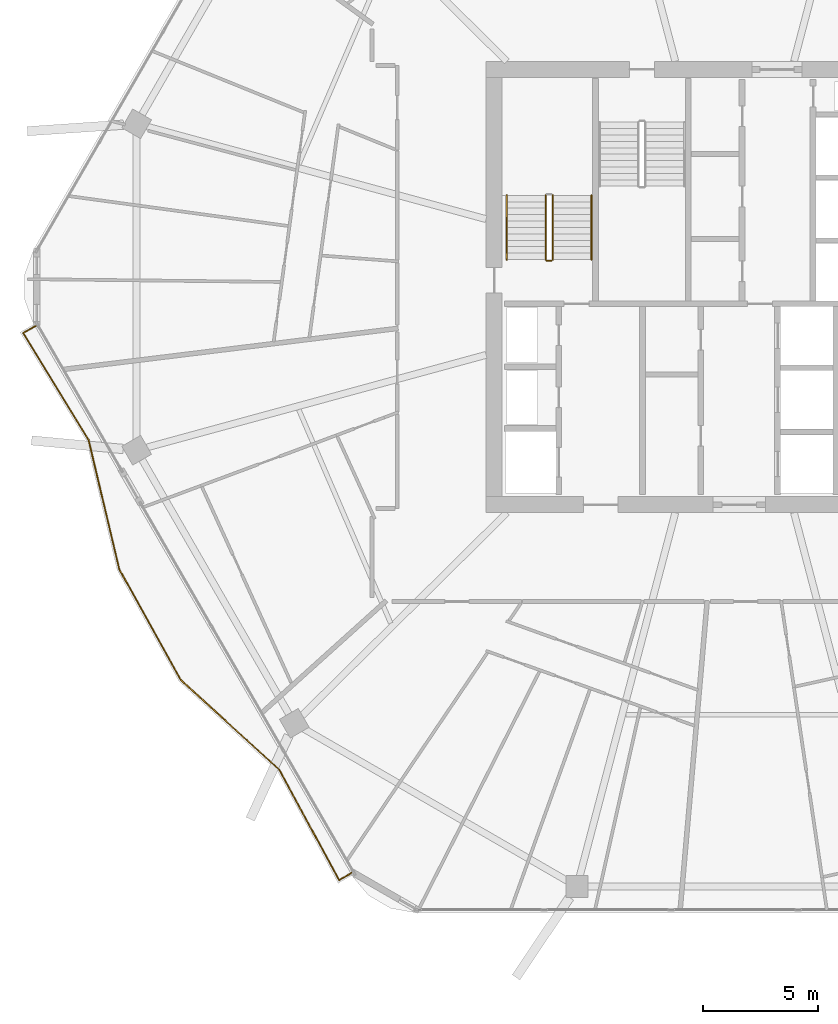
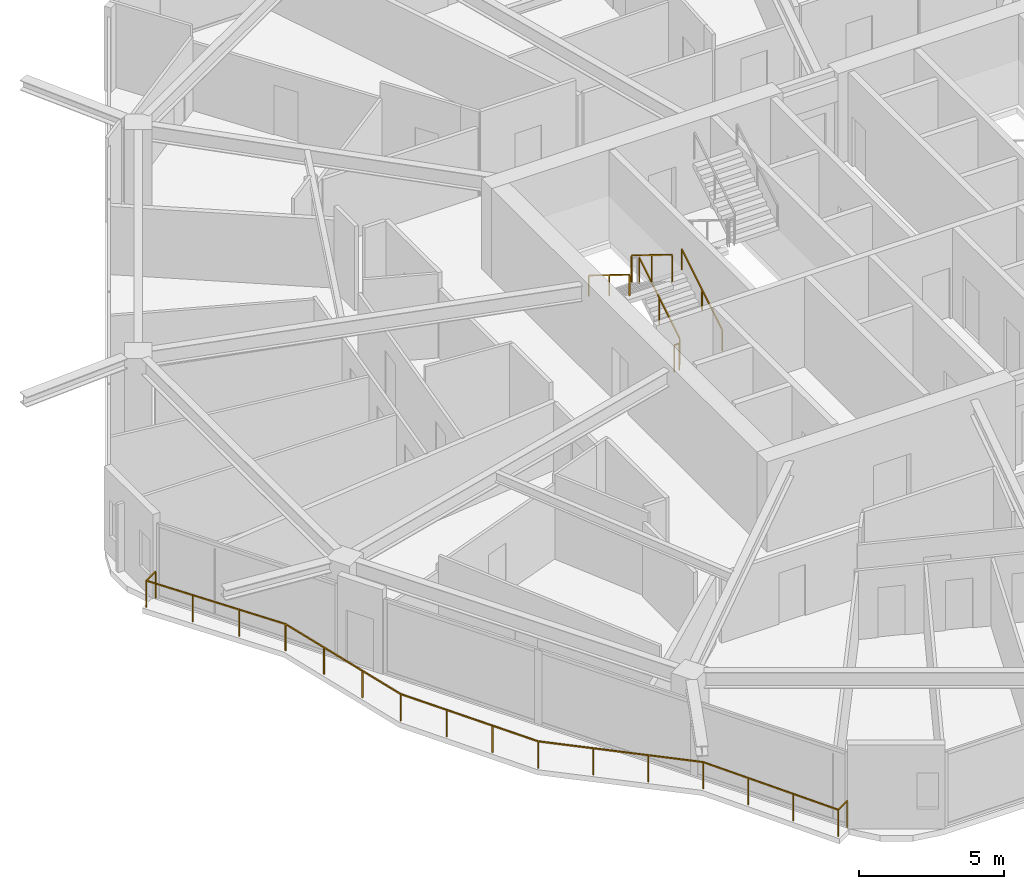
# One storey, part 24 of 26: 6 railings.
"""IFC4 building model written with IfcOpenShell, lengths in metres."""

from ifc_helpers import new_model, si_unit, direction, frame, origin, origin_2d, place, context, subcontext, project, spatial, rectangle, extrude, material, type_object, element, save


model = new_model("IFC4")

# Units and contexts
model_context = context("Model", 3, precision=1e-05, world=origin(), true_north=direction((0.0, 1.0)))
body_context = subcontext(model_context, "Body", "Model", "MODEL_VIEW")
ifc_project = project(units=[si_unit("LENGTHUNIT", "METRE"), si_unit("AREAUNIT", "SQUARE_METRE"), si_unit("VOLUMEUNIT", "CUBIC_METRE"), si_unit("PLANEANGLEUNIT", "RADIAN"), si_unit("MASSUNIT", "GRAM", prefix="KILO")], contexts=[model_context])

# Site, building, storey
site_placement = place(None, origin())
site = spatial("IfcSite", under=ifc_project, at=site_placement, CompositionType="ELEMENT")
building_placement = place(site_placement, origin())
building = spatial("IfcBuilding", under=site, at=building_placement, Name="Zuhravey Tower", CompositionType="ELEMENT")
storey_placement = place(building_placement, frame((0.0, 0.0, 203.60009765625)))
storey = spatial("IfcBuildingStorey", under=building, at=storey_placement, Name="L51", CompositionType="ELEMENT", Elevation=203.60009765625)

# Railings
ifc_material_1 = material(Name="Stainless steel 316 and laminated glass", Category="steel")
railing_type_1 = type_object("IfcRailingType", Name="Balcony & Terrace Guardrail 1150", PredefinedType="BALUSTRADE", material=ifc_material_1)
railing_1_placement = place(storey_placement, frame((19.280029296875, 6.423583984375, 0.0)))
element("IfcRailing", 1, at=railing_1_placement, inside=storey, type_object=railing_type_1, Name="L51 Face 4 Wave Balcony Guardrail GR1", PredefinedType="BALUSTRADE", context=body_context, shape_type="SweptSolid", body=[
    extrude(rectangle(XDim=0.048095703125, YDim=0.048095703125, at=origin_2d()), frame((-0.001708984375, -0.0009765625, 1.1259765625), z_axis=(-0.865898279276, -0.500220121494, 0.0), x_axis=(0.500220121494, -0.865898279276, 0.0)), (0.0, 0.0, 1.0), 0.6328125),
    extrude(rectangle(XDim=0.048095703125, YDim=0.048095703125, at=origin_2d()), frame((-0.552490234375, -0.31689453125, 1.1259765625), z_axis=(-0.475626206806, 0.879647492692, 0.0), x_axis=(-0.879647492692, -0.475626206806, 0.0)), (0.0, 0.0, 1.0), 5.46826171875),
    extrude(rectangle(XDim=0.048095703125, YDim=0.048095703125, at=origin_2d()), frame((-3.15576171875, 4.49658203125, 1.1259765625), z_axis=(-0.73871481332, 0.674018118882, 0.0), x_axis=(-0.674018118882, -0.73871481332, 0.0)), (0.0, 0.0, 1.0), 5.826171875),
    extrude(rectangle(XDim=0.048095703125, YDim=0.048095703125, at=origin_2d()), frame((-7.462158203125, 8.426513671875, 1.1259765625), z_axis=(-0.485856715814, 0.874038472665, 0.0), x_axis=(-0.874038472665, -0.485856715814, 0.0)), (0.0, 0.0, 1.0), 5.5224609375),
    extrude(rectangle(XDim=0.048095703125, YDim=0.048095703125, at=origin_2d()), frame((-10.146728515625, 13.257080078125, 1.1259765625), z_axis=(-0.230962377185, 0.972962681877, 0.0), x_axis=(-0.972962681877, -0.230962377185, 0.0)), (0.0, 0.0, 1.0), 5.797119140625),
    extrude(rectangle(XDim=0.048095703125, YDim=0.048095703125, at=origin_2d()), frame((-11.487060546875, 18.901123046875, 1.1259765625), z_axis=(-0.521989582148, 0.852951860382, 0.0), x_axis=(-0.852951860382, -0.521989582148, 0.0)), (0.0, 0.0, 1.0), 5.46728515625),
    extrude(rectangle(XDim=0.048095703125, YDim=0.048095703125, at=origin_2d()), frame((-14.34033203125, 23.567138671875, 1.1259765625), z_axis=(0.866089912433, 0.499888251095, 0.0), x_axis=(-0.499888251095, 0.866089912433, 0.0)), (0.0, 0.0, 1.0), 0.63330078125),
    extrude(rectangle(XDim=0.0419921875, YDim=0.0419921875, at=origin_2d()), origin(), (0.0, 0.0, 1.0), 1.099853515625),
    extrude(rectangle(XDim=0.0419921875, YDim=0.0419921875, at=origin_2d()), frame((-0.551513671875, -0.318603515625, 0.0)), (0.0, 0.0, 1.0), 1.099853515625),
    extrude(rectangle(XDim=0.0419921875, YDim=0.0419921875, at=origin_2d()), frame((-1.419189453125, 1.285888671875, 0.0)), (0.0, 0.0, 1.0), 1.099853515625),
    extrude(rectangle(XDim=0.0419921875, YDim=0.0419921875, at=origin_2d()), frame((-2.28662109375, 2.890625, 0.0)), (0.0, 0.0, 1.0), 1.099853515625),
    extrude(rectangle(XDim=0.0419921875, YDim=0.0419921875, at=origin_2d()), frame((-3.154296875, 4.4951171875, 0.0)), (0.0, 0.0, 1.0), 1.099853515625),
    extrude(rectangle(XDim=0.0419921875, YDim=0.0419921875, at=origin_2d()), frame((-4.58984375, 5.804931640625, 0.0)), (0.0, 0.0, 1.0), 1.099853515625),
    extrude(rectangle(XDim=0.0419921875, YDim=0.0419921875, at=origin_2d()), frame((-6.025634765625, 7.114990234375, 0.0)), (0.0, 0.0, 1.0), 1.099853515625),
    extrude(rectangle(XDim=0.0419921875, YDim=0.0419921875, at=origin_2d()), frame((-7.461181640625, 8.4248046875, 0.0)), (0.0, 0.0, 1.0), 1.099853515625),
    extrude(rectangle(XDim=0.0419921875, YDim=0.0419921875, at=origin_2d()), frame((-8.356201171875, 10.034912109375, 0.0)), (0.0, 0.0, 1.0), 1.099853515625),
    extrude(rectangle(XDim=0.0419921875, YDim=0.0419921875, at=origin_2d()), frame((-9.251220703125, 11.64501953125, 0.0)), (0.0, 0.0, 1.0), 1.099853515625),
    extrude(rectangle(XDim=0.0419921875, YDim=0.0419921875, at=origin_2d()), frame((-10.146240234375, 13.255126953125, 0.0)), (0.0, 0.0, 1.0), 1.099853515625),
    extrude(rectangle(XDim=0.0419921875, YDim=0.0419921875, at=origin_2d()), frame((-10.5927734375, 15.136474609375, 0.0)), (0.0, 0.0, 1.0), 1.099853515625),
    extrude(rectangle(XDim=0.0419921875, YDim=0.0419921875, at=origin_2d()), frame((-11.03955078125, 17.01806640625, 0.0)), (0.0, 0.0, 1.0), 1.099853515625),
    extrude(rectangle(XDim=0.0419921875, YDim=0.0419921875, at=origin_2d()), frame((-11.486083984375, 18.8994140625, 0.0)), (0.0, 0.0, 1.0), 1.099853515625),
    extrude(rectangle(XDim=0.0419921875, YDim=0.0419921875, at=origin_2d()), frame((-12.43798828125, 20.455078125, 0.0)), (0.0, 0.0, 1.0), 1.099853515625),
    extrude(rectangle(XDim=0.0419921875, YDim=0.0419921875, at=origin_2d()), frame((-13.39013671875, 22.010498046875, 0.0)), (0.0, 0.0, 1.0), 1.099853515625),
    extrude(rectangle(XDim=0.0419921875, YDim=0.0419921875, at=origin_2d()), frame((-14.342041015625, 23.566162109375, 0.0)), (0.0, 0.0, 1.0), 1.099853515625),
    extrude(rectangle(XDim=0.0419921875, YDim=0.0419921875, at=origin_2d()), frame((-13.7900390625, 23.884765625, 0.0)), (0.0, 0.0, 1.0), 1.099853515625),
])
ifc_material_2 = material(Name="Brushed stainless steel", Category="steel")
railing_type_2 = type_object("IfcRailingType", Name="Stair Wall Handrail 900", PredefinedType="HANDRAIL", material=ifc_material_2)
railing_2_placement = place(storey_placement, frame((29.75, 33.199951171875, 0.172607421875)))
element("IfcRailing", 2, at=railing_2_placement, inside=storey, type_object=railing_type_2, Name="L51 ST1 stair handrail 1", PredefinedType="HANDRAIL", context=body_context, shape_type="SweptSolid", body=[
    extrude(rectangle(XDim=0.048095703125, YDim=0.048095703125, at=origin_2d()), frame((0.0, 0.001708984375, 0.876953125), z_axis=(0.0, 0.851089632645, 0.525020415988), x_axis=(-1.0, 0.0, 0.0)), (0.0, 0.0, 1.0), 3.285888671875),
    extrude(rectangle(XDim=0.0419921875, YDim=0.0419921875, at=origin_2d()), origin(), (0.0, 0.0, 1.0), 0.849853515625),
    extrude(rectangle(XDim=0.0419921875, YDim=0.0419921875, at=origin_2d()), frame((0.0, 1.39990234375, 0.86376953125)), (0.0, 0.0, 1.0), 0.849853515625),
    extrude(rectangle(XDim=0.0419921875, YDim=0.0419921875, at=origin_2d()), frame((0.0, 2.800048828125, 1.727294921875)), (0.0, 0.0, 1.0), 0.849853515625),
])
railing_3_placement = place(storey_placement, frame((26.050048828125, 36.0, 2.072509765625)))
element("IfcRailing", 3, at=railing_3_placement, inside=storey, type_object=railing_type_2, Name="L51 ST1 stair handrail 2", PredefinedType="HANDRAIL", context=body_context, shape_type="SweptSolid", body=[
    extrude(rectangle(XDim=0.048095703125, YDim=0.048095703125, at=origin_2d()), frame((0.0, -0.001708984375, 0.876953125), z_axis=(0.0, -0.851089632645, 0.525020415988), x_axis=(1.0, 0.0, 0.0)), (0.0, 0.0, 1.0), 3.285888671875),
    extrude(rectangle(XDim=0.0419921875, YDim=0.0419921875, at=origin_2d()), origin(), (0.0, 0.0, 1.0), 0.849853515625),
    extrude(rectangle(XDim=0.0419921875, YDim=0.0419921875, at=origin_2d()), frame((0.0, -1.39990234375, 0.86376953125)), (0.0, 0.0, 1.0), 0.849853515625),
    extrude(rectangle(XDim=0.0419921875, YDim=0.0419921875, at=origin_2d()), frame((0.0, -2.800048828125, 1.727294921875)), (0.0, 0.0, 1.0), 0.849853515625),
])
ifc_material_3 = material(Name="Painted tubular steel", Category="steel")
railing_type_3 = type_object("IfcRailingType", Name="Stair Well Guardrail 1150", PredefinedType="GUARDRAIL", material=ifc_material_3)
railing_4_placement = place(storey_placement, frame((28.050048828125, 33.199951171875, 0.172607421875)))
element("IfcRailing", 4, at=railing_4_placement, inside=storey, type_object=railing_type_3, Name="L51 ST1 stair guard 1", PredefinedType="GUARDRAIL", context=body_context, shape_type="SweptSolid", body=[
    extrude(rectangle(XDim=0.048095703125, YDim=0.048095703125, at=origin_2d()), frame((0.0, 0.001708984375, 1.126953125), z_axis=(0.0, 0.851089632645, 0.525020415988), x_axis=(-1.0, 0.0, 0.0)), (0.0, 0.0, 1.0), 3.285888671875),
    extrude(rectangle(XDim=0.0419921875, YDim=0.0419921875, at=origin_2d()), origin(), (0.0, 0.0, 1.0), 1.099853515625),
    extrude(rectangle(XDim=0.0419921875, YDim=0.0419921875, at=origin_2d()), frame((0.0, 1.39990234375, 0.86376953125)), (0.0, 0.0, 1.0), 1.099853515625),
    extrude(rectangle(XDim=0.0419921875, YDim=0.0419921875, at=origin_2d()), frame((0.0, 2.800048828125, 1.727294921875)), (0.0, 0.0, 1.0), 1.099853515625),
])
railing_5_placement = place(storey_placement, frame((27.75, 36.0, 2.072509765625)))
element("IfcRailing", 5, at=railing_5_placement, inside=storey, type_object=railing_type_3, Name="L51 ST1 stair guard 3", PredefinedType="GUARDRAIL", context=body_context, shape_type="SweptSolid", body=[
    extrude(rectangle(XDim=0.048095703125, YDim=0.048095703125, at=origin_2d()), frame((0.0, -0.001708984375, 1.126953125), z_axis=(0.0, -0.851089632645, 0.525020415988), x_axis=(1.0, 0.0, 0.0)), (0.0, 0.0, 1.0), 3.285888671875),
    extrude(rectangle(XDim=0.0419921875, YDim=0.0419921875, at=origin_2d()), origin(), (0.0, 0.0, 1.0), 1.099853515625),
    extrude(rectangle(XDim=0.0419921875, YDim=0.0419921875, at=origin_2d()), frame((0.0, -1.39990234375, 0.86376953125)), (0.0, 0.0, 1.0), 1.099853515625),
    extrude(rectangle(XDim=0.0419921875, YDim=0.0419921875, at=origin_2d()), frame((0.0, -2.800048828125, 1.727294921875)), (0.0, 0.0, 1.0), 1.099853515625),
])
railing_6_placement = place(storey_placement, frame((28.0, 33.14990234375, 0.0)))
element("IfcRailing", 6, at=railing_6_placement, inside=storey, type_object=railing_type_3, Name="L51 ST1 stair guard 4", PredefinedType="GUARDRAIL", context=body_context, shape_type="SweptSolid", body=[
    extrude(rectangle(XDim=0.048095703125, YDim=0.048095703125, at=origin_2d()), frame((-0.001953125, 0.0, 1.1259765625), z_axis=(-1.0, 0.0, 0.0), x_axis=(0.0, -1.0, 0.0)), (0.0, 0.0, 1.0), 0.196044921875),
    extrude(rectangle(XDim=0.0419921875, YDim=0.0419921875, at=origin_2d()), origin(), (0.0, 0.0, 1.0), 1.099853515625),
    extrude(rectangle(XDim=0.0419921875, YDim=0.0419921875, at=origin_2d()), frame((-0.199951171875, 0.0, 0.0)), (0.0, 0.0, 1.0), 1.099853515625),
])

save(model, "model.ifc")
